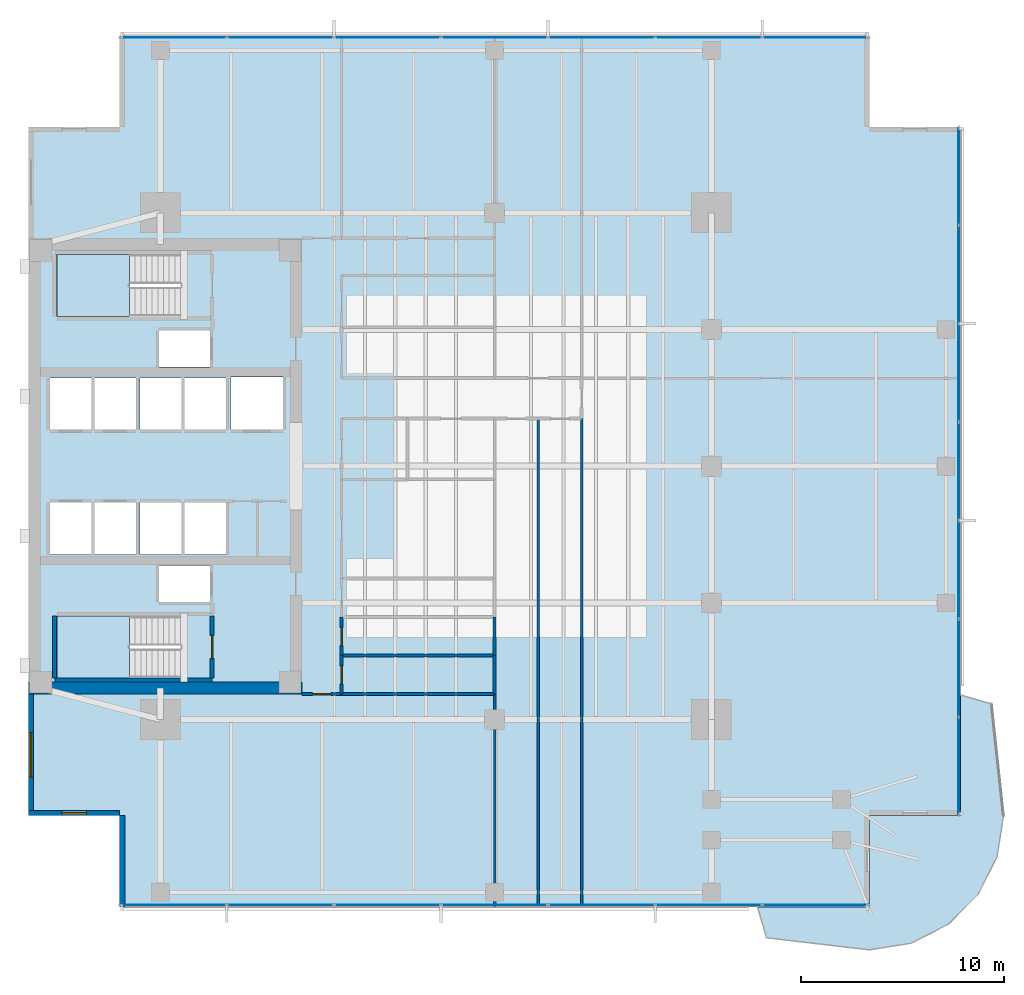
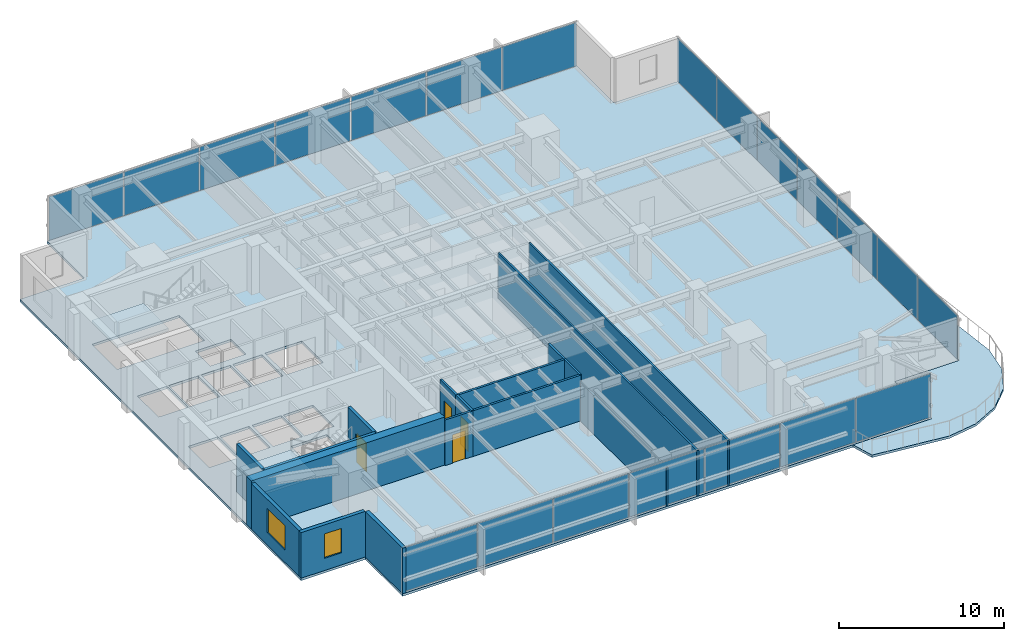
# One storey, part 7 of 14: 21 plates, 17 walls, 4 doors, 4 slabs, 2 windows, 6 openings, 5 elements without a shape of their own.
"""IFC4 building model written with IfcOpenShell, lengths in metres."""

from ifc_helpers import new_model, si_unit, direction, frame, frame_2d, origin, origin_2d, place, context, subcontext, project, spatial, polyline, rectangle, outline, extrude, material, layer, layer_set, type_object, element, fill, aggregate, save


model = new_model("IFC4")

# Units and contexts
model_context = context("Model", 3, precision=1e-05, world=origin(), true_north=direction((0.0, 1.0)))
body_context = subcontext(model_context, "Body", "Model", "MODEL_VIEW")
ifc_project = project(units=[si_unit("LENGTHUNIT", "METRE"), si_unit("AREAUNIT", "SQUARE_METRE"), si_unit("VOLUMEUNIT", "CUBIC_METRE"), si_unit("PLANEANGLEUNIT", "RADIAN"), si_unit("MASSUNIT", "GRAM", prefix="KILO")], contexts=[model_context])

# Site, building, storey
site_placement = place(None, origin())
site = spatial("IfcSite", under=ifc_project, at=site_placement, CompositionType="ELEMENT")
building_placement = place(site_placement, origin())
building = spatial("IfcBuilding", under=site, at=building_placement, Name="Kinhvarn Gate Tower", CompositionType="ELEMENT")
storey_placement = place(building_placement, frame((0.0, 0.0, 159.050048828125)))
storey = spatial("IfcBuildingStorey", under=building, at=storey_placement, Name="L42", CompositionType="ELEMENT", Elevation=159.050048828125)

# Curtain wall, plates
ifc_material_1 = material(Name="Anodised aluminium AW-6063", Category="aluminium")
ifc_layer_1 = layer(ifc_material_1, 0.179931640625)
ifc_layer_set_1 = layer_set([ifc_layer_1], Name="Anodised aluminium AW-6063")
curtain_wall_type = type_object("IfcCurtainWallType", Name="CW-SYS-3", PredefinedType="NOTDEFINED", material=ifc_layer_set_1)
curtain_wall_1_placement = place(storey_placement, origin())
curtain_wall_1 = element("IfcCurtainWall", 1, at=curtain_wall_1_placement, inside=storey, type_object=curtain_wall_type, Name="Curtain Wall CW3 (L42)", PredefinedType="NOTDEFINED")
ifc_material_2 = material(Name="Clear low-e double glazing", Category="glass")
ifc_layer_2 = layer(ifc_material_2, 0.031982421875)
ifc_layer_set_2 = layer_set([ifc_layer_2], Name="Clear low-e double glazing")
plate_type = type_object("IfcPlateType", Name="CW-PNL-VIS", PredefinedType="CURTAIN_PANEL", material=ifc_layer_set_2)
plate_1_placement = place(storey_placement, frame((11.6591796875, 3.590087890625, 0.070068359375), z_axis=(0.0, 0.0, 1.0), x_axis=(1.0, 0.0, 0.0)))
plate_1 = element("IfcPlate", 2, at=plate_1_placement, type_object=plate_type, Name="CW3 panel 1.1", PredefinedType="CURTAIN_PANEL", context=body_context, shape_type="SweptSolid", body=[
    extrude(rectangle(XDim=5.188232421875, YDim=0.031982421875, at=origin_2d()), origin(), (0.0, 0.0, 1.0), 3.22998046875),
])
plate_2_placement = place(storey_placement, frame((16.928466796875, 3.590087890625, 0.070068359375), z_axis=(0.0, 0.0, 1.0), x_axis=(1.0, 0.0, 0.0)))
plate_2 = element("IfcPlate", 3, at=plate_2_placement, type_object=plate_type, Name="CW3 panel 2.1", PredefinedType="CURTAIN_PANEL", context=body_context, shape_type="SweptSolid", body=[
    extrude(rectangle(XDim=5.220703125, YDim=0.031982421875, at=origin_2d()), origin(), (0.0, 0.0, 1.0), 3.22998046875),
])
plate_3_placement = place(storey_placement, frame((22.21435546875, 3.590087890625, 0.070068359375), z_axis=(0.0, 0.0, 1.0), x_axis=(1.0, 0.0, 0.0)))
plate_3 = element("IfcPlate", 4, at=plate_3_placement, type_object=plate_type, Name="CW3 panel 3.1", PredefinedType="CURTAIN_PANEL", context=body_context, shape_type="SweptSolid", body=[
    extrude(rectangle(XDim=5.220703125, YDim=0.031982421875, at=origin_2d()), origin(), (0.0, 0.0, 1.0), 3.22998046875),
])
plate_4_placement = place(storey_placement, frame((27.5, 3.590087890625, 0.070068359375), z_axis=(0.0, 0.0, 1.0), x_axis=(1.0, 0.0, 0.0)))
plate_4 = element("IfcPlate", 5, at=plate_4_placement, type_object=plate_type, Name="CW3 panel 4.1", PredefinedType="CURTAIN_PANEL", context=body_context, shape_type="SweptSolid", body=[
    extrude(rectangle(XDim=5.220703125, YDim=0.031982421875, at=origin_2d()), origin(), (0.0, 0.0, 1.0), 3.22998046875),
])
plate_5_placement = place(storey_placement, frame((32.78564453125, 3.590087890625, 0.070068359375), z_axis=(0.0, 0.0, 1.0), x_axis=(1.0, 0.0, 0.0)))
plate_5 = element("IfcPlate", 6, at=plate_5_placement, type_object=plate_type, Name="CW3 panel 5.1", PredefinedType="CURTAIN_PANEL", context=body_context, shape_type="SweptSolid", body=[
    extrude(rectangle(XDim=5.220703125, YDim=0.031982421875, at=origin_2d()), origin(), (0.0, 0.0, 1.0), 3.22998046875),
])
plate_6_placement = place(storey_placement, frame((38.071533203125, 3.590087890625, 0.070068359375), z_axis=(0.0, 0.0, 1.0), x_axis=(1.0, 0.0, 0.0)))
plate_6 = element("IfcPlate", 7, at=plate_6_placement, type_object=plate_type, Name="CW3 panel 6.1", PredefinedType="CURTAIN_PANEL", context=body_context, shape_type="SweptSolid", body=[
    extrude(rectangle(XDim=5.220703125, YDim=0.031982421875, at=origin_2d()), origin(), (0.0, 0.0, 1.0), 3.22998046875),
])
plate_7_placement = place(storey_placement, frame((43.3408203125, 3.590087890625, 0.070068359375), z_axis=(0.0, 0.0, 1.0), x_axis=(1.0, 0.0, 0.0)))
plate_7 = element("IfcPlate", 8, at=plate_7_placement, type_object=plate_type, Name="CW3 panel 7.1", PredefinedType="CURTAIN_PANEL", context=body_context, shape_type="SweptSolid", body=[
    extrude(rectangle(XDim=5.188232421875, YDim=0.031982421875, at=origin_2d()), origin(), (0.0, 0.0, 1.0), 3.22998046875),
])
aggregate(curtain_wall_1, [plate_1, plate_2, plate_3, plate_4, plate_5, plate_6, plate_7])

curtain_wall_2_placement = place(storey_placement, origin())
curtain_wall_2 = element("IfcCurtainWall", 9, at=curtain_wall_2_placement, inside=storey, type_object=curtain_wall_type, Name="Curtain Wall CW3 (L42)", PredefinedType="NOTDEFINED")
plate_8_placement = place(storey_placement, frame((43.3408203125, 46.409912109375, 0.070068359375), z_axis=(0.0, 0.0, 1.0), x_axis=(-1.0, 0.0, 0.0)))
plate_8 = element("IfcPlate", 10, at=plate_8_placement, type_object=plate_type, Name="CW3 panel 1.1", PredefinedType="CURTAIN_PANEL", context=body_context, shape_type="SweptSolid", body=[
    extrude(rectangle(XDim=5.188232421875, YDim=0.031982421875, at=origin_2d()), origin(), (0.0, 0.0, 1.0), 3.22998046875),
])
plate_9_placement = place(storey_placement, frame((38.071533203125, 46.409912109375, 0.070068359375), z_axis=(0.0, 0.0, 1.0), x_axis=(-1.0, 0.0, 0.0)))
plate_9 = element("IfcPlate", 11, at=plate_9_placement, type_object=plate_type, Name="CW3 panel 2.1", PredefinedType="CURTAIN_PANEL", context=body_context, shape_type="SweptSolid", body=[
    extrude(rectangle(XDim=5.220703125, YDim=0.031982421875, at=origin_2d()), origin(), (0.0, 0.0, 1.0), 3.22998046875),
])
plate_10_placement = place(storey_placement, frame((32.78564453125, 46.409912109375, 0.070068359375), z_axis=(0.0, 0.0, 1.0), x_axis=(-1.0, 0.0, 0.0)))
plate_10 = element("IfcPlate", 12, at=plate_10_placement, type_object=plate_type, Name="CW3 panel 3.1", PredefinedType="CURTAIN_PANEL", context=body_context, shape_type="SweptSolid", body=[
    extrude(rectangle(XDim=5.220703125, YDim=0.031982421875, at=origin_2d()), origin(), (0.0, 0.0, 1.0), 3.22998046875),
])
plate_11_placement = place(storey_placement, frame((27.5, 46.409912109375, 0.070068359375), z_axis=(0.0, 0.0, 1.0), x_axis=(-1.0, 0.0, 0.0)))
plate_11 = element("IfcPlate", 13, at=plate_11_placement, type_object=plate_type, Name="CW3 panel 4.1", PredefinedType="CURTAIN_PANEL", context=body_context, shape_type="SweptSolid", body=[
    extrude(rectangle(XDim=5.220703125, YDim=0.031982421875, at=origin_2d()), origin(), (0.0, 0.0, 1.0), 3.22998046875),
])
plate_12_placement = place(storey_placement, frame((22.21435546875, 46.409912109375, 0.070068359375), z_axis=(0.0, 0.0, 1.0), x_axis=(-1.0, 0.0, 0.0)))
plate_12 = element("IfcPlate", 14, at=plate_12_placement, type_object=plate_type, Name="CW3 panel 5.1", PredefinedType="CURTAIN_PANEL", context=body_context, shape_type="SweptSolid", body=[
    extrude(rectangle(XDim=5.220703125, YDim=0.031982421875, at=origin_2d()), origin(), (0.0, 0.0, 1.0), 3.22998046875),
])
plate_13_placement = place(storey_placement, frame((16.928466796875, 46.409912109375, 0.070068359375), z_axis=(0.0, 0.0, 1.0), x_axis=(-1.0, 0.0, 0.0)))
plate_13 = element("IfcPlate", 15, at=plate_13_placement, type_object=plate_type, Name="CW3 panel 6.1", PredefinedType="CURTAIN_PANEL", context=body_context, shape_type="SweptSolid", body=[
    extrude(rectangle(XDim=5.220703125, YDim=0.031982421875, at=origin_2d()), origin(), (0.0, 0.0, 1.0), 3.22998046875),
])
plate_14_placement = place(storey_placement, frame((11.6591796875, 46.409912109375, 0.070068359375), z_axis=(0.0, 0.0, 1.0), x_axis=(-1.0, 0.0, 0.0)))
plate_14 = element("IfcPlate", 16, at=plate_14_placement, type_object=plate_type, Name="CW3 panel 7.1", PredefinedType="CURTAIN_PANEL", context=body_context, shape_type="SweptSolid", body=[
    extrude(rectangle(XDim=5.188232421875, YDim=0.031982421875, at=origin_2d()), origin(), (0.0, 0.0, 1.0), 3.22998046875),
])
aggregate(curtain_wall_2, [plate_8, plate_9, plate_10, plate_11, plate_12, plate_13, plate_14])

curtain_wall_3_placement = place(storey_placement, origin())
curtain_wall_3 = element("IfcCurtainWall", 17, at=curtain_wall_3_placement, inside=storey, type_object=curtain_wall_type, Name="Curtain Wall CW3 (L42)", PredefinedType="NOTDEFINED")
plate_15_placement = place(storey_placement, frame((50.409912109375, 10.44482421875, 0.070068359375), z_axis=(0.0, 0.0, 1.0), x_axis=(0.0, 1.0, 0.0)))
plate_15 = element("IfcPlate", 18, at=plate_15_placement, type_object=plate_type, Name="CW3 panel 1.1", PredefinedType="CURTAIN_PANEL", context=body_context, shape_type="SweptSolid", body=[
    extrude(rectangle(XDim=4.759521484375, YDim=0.031982421875, at=origin_2d()), origin(), (0.0, 0.0, 1.0), 3.22998046875),
])
plate_16_placement = place(storey_placement, frame((50.409912109375, 15.28564453125, 0.070068359375), z_axis=(0.0, 0.0, 1.0), x_axis=(0.0, 1.0, 0.0)))
plate_16 = element("IfcPlate", 19, at=plate_16_placement, type_object=plate_type, Name="CW3 panel 2.1", PredefinedType="CURTAIN_PANEL", context=body_context, shape_type="SweptSolid", body=[
    extrude(rectangle(XDim=4.792236328125, YDim=0.031982421875, at=origin_2d()), origin(), (0.0, 0.0, 1.0), 3.22998046875),
])
plate_17_placement = place(storey_placement, frame((50.409912109375, 20.142822265625, 0.070068359375), z_axis=(0.0, 0.0, 1.0), x_axis=(0.0, 1.0, 0.0)))
plate_17 = element("IfcPlate", 20, at=plate_17_placement, type_object=plate_type, Name="CW3 panel 3.1", PredefinedType="CURTAIN_PANEL", context=body_context, shape_type="SweptSolid", body=[
    extrude(rectangle(XDim=4.792236328125, YDim=0.031982421875, at=origin_2d()), origin(), (0.0, 0.0, 1.0), 3.22998046875),
])
plate_18_placement = place(storey_placement, frame((50.409912109375, 25.0, 0.070068359375), z_axis=(0.0, 0.0, 1.0), x_axis=(0.0, 1.0, 0.0)))
plate_18 = element("IfcPlate", 21, at=plate_18_placement, type_object=plate_type, Name="CW3 panel 4.1", PredefinedType="CURTAIN_PANEL", context=body_context, shape_type="SweptSolid", body=[
    extrude(rectangle(XDim=4.792236328125, YDim=0.031982421875, at=origin_2d()), origin(), (0.0, 0.0, 1.0), 3.22998046875),
])
plate_19_placement = place(storey_placement, frame((50.409912109375, 29.857177734375, 0.070068359375), z_axis=(0.0, 0.0, 1.0), x_axis=(0.0, 1.0, 0.0)))
plate_19 = element("IfcPlate", 22, at=plate_19_placement, type_object=plate_type, Name="CW3 panel 5.1", PredefinedType="CURTAIN_PANEL", context=body_context, shape_type="SweptSolid", body=[
    extrude(rectangle(XDim=4.792236328125, YDim=0.031982421875, at=origin_2d()), origin(), (0.0, 0.0, 1.0), 3.22998046875),
])
plate_20_placement = place(storey_placement, frame((50.409912109375, 34.71435546875, 0.070068359375), z_axis=(0.0, 0.0, 1.0), x_axis=(0.0, 1.0, 0.0)))
plate_20 = element("IfcPlate", 23, at=plate_20_placement, type_object=plate_type, Name="CW3 panel 6.1", PredefinedType="CURTAIN_PANEL", context=body_context, shape_type="SweptSolid", body=[
    extrude(rectangle(XDim=4.792236328125, YDim=0.031982421875, at=origin_2d()), origin(), (0.0, 0.0, 1.0), 3.22998046875),
])
plate_21_placement = place(storey_placement, frame((50.409912109375, 39.55517578125, 0.070068359375), z_axis=(0.0, 0.0, 1.0), x_axis=(0.0, 1.0, 0.0)))
plate_21 = element("IfcPlate", 24, at=plate_21_placement, type_object=plate_type, Name="CW3 panel 7.1", PredefinedType="CURTAIN_PANEL", context=body_context, shape_type="SweptSolid", body=[
    extrude(rectangle(XDim=4.759521484375, YDim=0.031982421875, at=origin_2d()), origin(), (0.0, 0.0, 1.0), 3.22998046875),
])
aggregate(curtain_wall_3, [plate_15, plate_16, plate_17, plate_18, plate_19, plate_20, plate_21])

# Slabs
ifc_material_3 = material(Name="Precast white architectural concrete C40/50", Category="concrete")
ifc_layer_3 = layer(ifc_material_3, 0.179931640625)
ifc_layer_set_3 = layer_set([ifc_layer_3], Name="Precast white architectural concrete C40/50")
slab_type_1 = type_object("IfcSlabType", Name="SLB-BAL-180", PredefinedType="FLOOR", material=ifc_layer_set_3)
slab_1_placement = place(storey_placement, frame((0.0, 0.0, -0.179931640625)))
element("IfcSlab", 25, at=slab_1_placement, inside=storey, type_object=slab_type_1, Name="S-Carve Curved Terrace Balcony Slab L42 (SE)", PredefinedType="FLOOR", context=body_context, shape_type="SweptSolid", body=[
    extrude(outline(polyline([(40.47509765625, 3.5), (40.925048828125, 1.975830078125), (46.0, 1.383056640625), (48.044921875, 1.706787109375), (49.889404296875, 2.646728515625), (51.353271484375, 4.110595703125), (52.293212890625, 5.955078125), (52.616943359375, 8.0), (52.024169921875, 13.511962890625), (50.5, 13.9619140625), (50.5, 8.0), (46.0, 8.0), (46.0, 3.5), (40.47509765625, 3.5)])), origin(), (0.0, 0.0, 1.0), 0.179931640625),
])
ifc_material_4 = material(Name="Concrete C40/50", Category="concrete")
ifc_layer_4 = layer(ifc_material_4, 0.179931640625)
ifc_layer_set_4 = layer_set([ifc_layer_4], Name="Concrete C40/50")
slab_type_2 = type_object("IfcSlabType", Name="SLB-FLR-180", PredefinedType="FLOOR", material=ifc_layer_set_4)
slab_2_placement = place(storey_placement, frame((0.0, 0.0, -0.179931640625)))
element("IfcSlab", 26, at=slab_2_placement, inside=storey, type_object=slab_type_2, Name="Suspended Floor Slab L42", PredefinedType="FLOOR", context=body_context, shape_type="SweptSolid", body=[
    extrude(outline(polyline([(9.0, 3.5), (46.0, 3.5), (46.0, 8.0), (50.5, 8.0), (50.5, 42.0), (46.0, 42.0), (46.0, 46.5), (9.0, 46.5), (9.0, 42.0), (4.5, 42.0), (4.5, 8.0), (9.0, 8.0), (9.0, 3.5)]), holes=[polyline([(5.89990234375, 14.800048828125), (12.0, 14.800048828125), (12.0, 17.85009765625), (5.89990234375, 17.85009765625), (5.89990234375, 14.800048828125)]), polyline([(5.89990234375, 32.64990234375), (12.0, 32.64990234375), (12.0, 35.699951171875), (5.89990234375, 35.699951171875), (5.89990234375, 32.64990234375)]), polyline([(5.550048828125, 20.89990234375), (7.60009765625, 20.89990234375), (7.60009765625, 23.449951171875), (5.550048828125, 23.449951171875), (5.550048828125, 20.89990234375)]), polyline([(7.75, 20.89990234375), (9.800048828125, 20.89990234375), (9.800048828125, 23.449951171875), (7.75, 23.449951171875), (7.75, 20.89990234375)]), polyline([(5.550048828125, 27.050048828125), (7.60009765625, 27.050048828125), (7.60009765625, 29.60009765625), (5.550048828125, 29.60009765625), (5.550048828125, 27.050048828125)]), polyline([(7.75, 27.050048828125), (9.800048828125, 27.050048828125), (9.800048828125, 29.60009765625), (7.75, 29.60009765625), (7.75, 27.050048828125)]), polyline([(10.0, 20.89990234375), (12.050048828125, 20.89990234375), (12.050048828125, 23.449951171875), (10.0, 23.449951171875), (10.0, 20.89990234375)]), polyline([(12.199951171875, 20.89990234375), (14.25, 20.89990234375), (14.25, 23.449951171875), (12.199951171875, 23.449951171875), (12.199951171875, 20.89990234375)]), polyline([(10.0, 27.050048828125), (12.050048828125, 27.050048828125), (12.050048828125, 29.60009765625), (10.0, 29.60009765625), (10.0, 27.050048828125)]), polyline([(12.199951171875, 27.050048828125), (14.25, 27.050048828125), (14.25, 29.60009765625), (12.199951171875, 29.60009765625), (12.199951171875, 27.050048828125)]), polyline([(14.5, 27.050048828125), (17.050048828125, 27.050048828125), (17.050048828125, 29.64990234375), (14.5, 29.64990234375), (14.5, 27.050048828125)]), polyline([(10.949951171875, 18.550048828125), (13.449951171875, 18.550048828125), (13.449951171875, 20.35009765625), (10.949951171875, 20.35009765625), (10.949951171875, 18.550048828125)]), polyline([(10.949951171875, 30.14990234375), (13.449951171875, 30.14990234375), (13.449951171875, 31.949951171875), (10.949951171875, 31.949951171875), (10.949951171875, 30.14990234375)])]), origin(), (0.0, 0.0, 1.0), 0.179931640625),
])

# Stair, slab
stair_type = type_object("IfcStairType", Name="STR-DLG-177", PredefinedType="HALF_TURN_STAIR", material=ifc_material_4)
stair_1_placement = place(storey_placement, origin())
stair_1 = element("IfcStair", 27, at=stair_1_placement, inside=storey, type_object=stair_type, Name="L42 Core Smokeproof Exit Stair ST1", PredefinedType="HALF_TURN_STAIR")
ifc_layer_5 = layer(ifc_material_4, 0.199951171875)
ifc_layer_set_5 = layer_set([ifc_layer_5], Name="Concrete C40/50")
slab_type_3 = type_object("IfcSlabType", Name="SLB-ST-LND", PredefinedType="LANDING", material=ifc_layer_set_5)
slab_3_placement = place(storey_placement, frame((0.0, 0.0, 1.574951171875)))
slab_3 = element("IfcSlab", 28, at=slab_3_placement, type_object=slab_type_3, Name="ST1 landing 1", PredefinedType="LANDING", context=body_context, shape_type="SweptSolid", body=[
    extrude(outline(polyline([(9.47998046875, 17.85009765625), (5.89990234375, 17.85009765625), (5.89990234375, 14.800048828125), (9.47998046875, 14.800048828125), (9.47998046875, 17.85009765625)])), origin(), (0.0, 0.0, 1.0), 0.199951171875),
])
aggregate(stair_1, [slab_3])

stair_2_placement = place(storey_placement, origin())
stair_2 = element("IfcStair", 29, at=stair_2_placement, inside=storey, type_object=stair_type, Name="L42 Core Smokeproof Exit Stair ST2", PredefinedType="HALF_TURN_STAIR")
slab_4_placement = place(storey_placement, frame((0.0, 0.0, 1.574951171875)))
slab_4 = element("IfcSlab", 30, at=slab_4_placement, type_object=slab_type_3, Name="ST2 landing 1", PredefinedType="LANDING", context=body_context, shape_type="SweptSolid", body=[
    extrude(outline(polyline([(9.47998046875, 35.699951171875), (5.89990234375, 35.699951171875), (5.89990234375, 32.64990234375), (9.47998046875, 32.64990234375), (9.47998046875, 35.699951171875)])), origin(), (0.0, 0.0, 1.0), 0.199951171875),
])
aggregate(stair_2, [slab_4])

# Wall
ifc_material_5 = material(Name="Concrete C60/75", Category="concrete")
ifc_layer_6 = layer(ifc_material_5, 0.60009765625)
ifc_layer_set_6 = layer_set([ifc_layer_6], Name="Concrete C60/75")
wall_type_1 = type_object("IfcWallType", Name="WL-CORE-600", PredefinedType="SHEAR", material=ifc_layer_set_6)
wall_1_placement = place(storey_placement, frame((4.5, 14.300048828125, 0.0), z_axis=(0.0, 0.0, 1.0), x_axis=(1.0, 0.0, 0.0)))
element("IfcWall", 31, at=wall_1_placement, inside=storey, type_object=wall_type_1, Name="Core South Shear Wall L42 600 mm", PredefinedType="SHEAR", context=body_context, shape_type="SweptSolid", body=[
    extrude(rectangle(XDim=13.5, YDim=0.60009765625, at=frame_2d((6.75, 0.0))), origin(), (0.0, 0.0, 1.0), 3.550048828125),
])

# Wall, opening, window
ifc_material_6 = material(Name="Fired architectural terracotta", Category="masonry")
ifc_layer_7 = layer(ifc_material_6, 0.25)
ifc_layer_set_7 = layer_set([ifc_layer_7], Name="Fired architectural terracotta")
wall_type_2 = type_object("IfcWallType", Name="WL-EXT-250", PredefinedType="SOLIDWALL", material=ifc_layer_set_7)
wall_2_placement = place(storey_placement, frame((4.625, 14.0, 0.0), z_axis=(0.0, 0.0, 1.0), x_axis=(0.0, -1.0, 0.0)))
wall_2 = element("IfcWall", 32, at=wall_2_placement, inside=storey, type_object=wall_type_2, Name="Exterior Solidwall Wall EW-250 (L42 West-South)", PredefinedType="SOLIDWALL", context=body_context, shape_type="SweptSolid", body=[
    extrude(rectangle(XDim=6.0, YDim=0.25, at=frame_2d((3.0, 0.0))), origin(), (0.0, 0.0, 1.0), 3.369873046875),
])
opening_1_placement = place(wall_2_placement, frame((1.89990234375, 0.0, 0.89990234375)))
opening_1 = element("IfcOpeningElement", 33, at=opening_1_placement, cuts=wall_2, Name="Opening WN-01", PredefinedType="OPENING", context=body_context, shape_type="SweptSolid", body=[
    extrude(rectangle(XDim=2.199951171875, YDim=1.800048828125, at=frame_2d((1.10009765625, 0.89990234375))), frame((0.0, 0.135009765625, 0.0), z_axis=(0.0, -1.0, 0.0), x_axis=(1.0, 0.0, 0.0)), (0.0, 0.0, 1.0), 0.27001953125),
])
window_type_1 = type_object("IfcWindowType", Name="WIN-RIB-2200", PartitioningType="SINGLE_PANEL", PredefinedType="WINDOW", material=ifc_material_2)
window_1_placement = place(opening_1_placement, origin())
window_1 = element("IfcWindow", 34, at=window_1_placement, inside=storey, type_object=window_type_1, Name="West Flank Double-Glazed Ribbon Window 2200x1800 mm (L42)", OverallHeight=1.800048828125, OverallWidth=2.199951171875, PartitioningType="SINGLE_PANEL", PredefinedType="WINDOW", context=body_context, shape_type="SweptSolid", body=[
    extrude(rectangle(XDim=2.199951171875, YDim=1.800048828125, at=frame_2d((1.10009765625, 0.89990234375))), frame((0.0, 0.030029296875, 0.0), z_axis=(0.0, -1.0, 0.0), x_axis=(1.0, 0.0, 0.0)), (0.0, 0.0, 1.0), 0.06005859375),
])
fill(opening_1, window_1)

wall_3_placement = place(storey_placement, frame((4.5, 8.125, 0.0), z_axis=(0.0, 0.0, 1.0), x_axis=(1.0, 0.0, 0.0)))
wall_3 = element("IfcWall", 35, at=wall_3_placement, inside=storey, type_object=wall_type_2, Name="Exterior Solidwall Wall EW-250 (L42 SW-Notch-1)", PredefinedType="SOLIDWALL", context=body_context, shape_type="SweptSolid", body=[
    extrude(rectangle(XDim=4.5, YDim=0.25, at=frame_2d((2.25, 0.0))), origin(), (0.0, 0.0, 1.0), 3.369873046875),
])
opening_2_placement = place(wall_3_placement, frame((1.64990234375, 0.0, 0.89990234375)))
opening_2 = element("IfcOpeningElement", 36, at=opening_2_placement, cuts=wall_3, Name="Opening WN-02", PredefinedType="OPENING", context=body_context, shape_type="SweptSolid", body=[
    extrude(rectangle(XDim=1.199951171875, YDim=1.800048828125, at=frame_2d((0.60009765625, 0.89990234375))), frame((0.0, 0.135009765625, 0.0), z_axis=(0.0, -1.0, 0.0), x_axis=(1.0, 0.0, 0.0)), (0.0, 0.0, 1.0), 0.27001953125),
])
window_type_2 = type_object("IfcWindowType", Name="WIN-NTC-1200", PartitioningType="SINGLE_PANEL", PredefinedType="WINDOW", material=ifc_material_2)
window_2_placement = place(opening_2_placement, origin())
window_2 = element("IfcWindow", 37, at=window_2_placement, inside=storey, type_object=window_type_2, Name="Recessed Corner Notch Punched Window 1200x1800 mm (L42)", OverallHeight=1.800048828125, OverallWidth=1.199951171875, PartitioningType="SINGLE_PANEL", PredefinedType="WINDOW", context=body_context, shape_type="SweptSolid", body=[
    extrude(rectangle(XDim=1.199951171875, YDim=1.800048828125, at=frame_2d((0.60009765625, 0.89990234375))), frame((0.0, 0.030029296875, 0.0), z_axis=(0.0, -1.0, 0.0), x_axis=(1.0, 0.0, 0.0)), (0.0, 0.0, 1.0), 0.06005859375),
])
fill(opening_2, window_2)

# Walls
wall_4_placement = place(storey_placement, frame((9.125, 8.0, 0.0), z_axis=(0.0, 0.0, 1.0), x_axis=(0.0, -1.0, 0.0)))
element("IfcWall", 38, at=wall_4_placement, inside=storey, type_object=wall_type_2, Name="Exterior Solidwall Wall EW-250 (L42 SW-Notch-2)", PredefinedType="SOLIDWALL", context=body_context, shape_type="SweptSolid", body=[
    extrude(rectangle(XDim=4.5, YDim=0.25, at=frame_2d((2.25, 0.0))), origin(), (0.0, 0.0, 1.0), 3.369873046875),
])
ifc_material_7 = material(Name="Gypsum acoustic partition board")
ifc_layer_8 = layer(ifc_material_7, 0.14990234375)
ifc_layer_set_8 = layer_set([ifc_layer_8], Name="Gypsum acoustic partition board")
wall_type_3 = type_object("IfcWallType", Name="WL-PLM-150", PredefinedType="PLUMBINGWALL", material=ifc_layer_set_8)
for number, where, z_axis, x_axis, name in (
    (39, (19.949951171875, 15.89990234375, 0.0), (0.0, 0.0, 1.0), (1.0, 0.0, 0.0), "Interior Partition PLW-150 (L42)"),
    (40, (19.949951171875, 14.0, 0.0), (0.0, 0.0, 1.0), (1.0, 0.0, 0.0), "Interior Partition PLW-150 (L42)"),
):
    element("IfcWall", number, at=place(storey_placement, frame(where, z_axis=z_axis, x_axis=x_axis)), inside=storey, type_object=wall_type_3, Name=name, PredefinedType="PLUMBINGWALL", context=body_context, shape_type="SweptSolid", body=[
        extrude(rectangle(XDim=7.550048828125, YDim=0.14990234375, at=frame_2d((3.77490234375, 0.0))), origin(), (0.0, 0.0, 1.0), 3.369873046875),
    ])
wall_5_placement = place(storey_placement, frame((27.5, 14.0, 0.0), z_axis=(0.0, 0.0, 1.0), x_axis=(0.0, 1.0, 0.0)))
element("IfcWall", 41, at=wall_5_placement, inside=storey, type_object=wall_type_3, Name="Interior Partition PLW-150 (L42)", PredefinedType="PLUMBINGWALL", context=body_context, shape_type="SweptSolid", body=[
    extrude(rectangle(XDim=1.89990234375, YDim=0.14990234375, at=frame_2d((0.949951171875, 0.0))), origin(), (0.0, 0.0, 1.0), 3.369873046875),
])
wall_6_placement = place(storey_placement, frame((27.5, 15.89990234375, 0.0), z_axis=(0.0, 0.0, 1.0), x_axis=(0.0, 1.0, 0.0)))
element("IfcWall", 42, at=wall_6_placement, inside=storey, type_object=wall_type_3, Name="Interior Partition PLW-150 (L42)", PredefinedType="PLUMBINGWALL", context=body_context, shape_type="SweptSolid", body=[
    extrude(rectangle(XDim=1.900146484375, YDim=0.14990234375, at=frame_2d((0.9501953125, 0.0))), origin(), (0.0, 0.0, 1.0), 3.369873046875),
])

# Wall, opening, door
ifc_layer_9 = layer(ifc_material_7, 0.14990234375)
ifc_layer_set_9 = layer_set([ifc_layer_9], Name="Gypsum acoustic partition board")
wall_type_4 = type_object("IfcWallType", Name="WL-PLM-150F", PredefinedType="PLUMBINGWALL", material=ifc_layer_set_9)
wall_7_placement = place(storey_placement, frame((19.949951171875, 14.0, 0.0), z_axis=(0.0, 0.0, 1.0), x_axis=(0.0, 1.0, 0.0)))
wall_7 = element("IfcWall", 43, at=wall_7_placement, inside=storey, type_object=wall_type_4, Name="Interior Partition PLW-150F (L42)", PredefinedType="PLUMBINGWALL", context=body_context, shape_type="SweptSolid", body=[
    extrude(rectangle(XDim=1.89990234375, YDim=0.14990234375, at=frame_2d((0.949951171875, 0.0))), origin(), (0.0, 0.0, 1.0), 3.369873046875),
])
opening_3_placement = place(wall_7_placement, frame((0.5, 0.0, 0.0)))
opening_3 = element("IfcOpeningElement", 44, at=opening_3_placement, cuts=wall_7, Name="Opening FD-04", PredefinedType="OPENING", context=body_context, shape_type="SweptSolid", body=[
    extrude(rectangle(XDim=0.89990234375, YDim=2.10009765625, at=frame_2d((0.449951171875, 1.050048828125))), frame((0.0, 0.0849609375, 0.0), z_axis=(0.0, -1.0, 0.0), x_axis=(1.0, 0.0, 0.0)), (0.0, 0.0, 1.0), 0.169921875),
])
door_type_1 = type_object("IfcDoorType", Name="DR-FD-900", OperationType="NOTDEFINED", PredefinedType="DOOR", material=ifc_material_1)
door_1_placement = place(opening_3_placement, origin())
door_1 = element("IfcDoor", 45, at=door_1_placement, inside=storey, type_object=door_type_1, Name="Rated Riser & Service Closet Fire Door 900x2100 mm (L42)", OperationType="SINGLE_SWING_LEFT", OverallHeight=2.10009765625, OverallWidth=0.89990234375, PredefinedType="DOOR", context=body_context, shape_type="SweptSolid", body=[
    extrude(rectangle(XDim=0.89990234375, YDim=2.10009765625, at=frame_2d((0.449951171875, 1.050048828125))), frame((0.0, 0.02490234375, 0.0), z_axis=(0.0, -1.0, 0.0), x_axis=(1.0, 0.0, 0.0)), (0.0, 0.0, 1.0), 0.050048828125),
])
fill(opening_3, door_1)

wall_8_placement = place(storey_placement, frame((19.949951171875, 15.89990234375, 0.0), z_axis=(0.0, 0.0, 1.0), x_axis=(0.0, 1.0, 0.0)))
wall_8 = element("IfcWall", 46, at=wall_8_placement, inside=storey, type_object=wall_type_4, Name="Interior Partition PLW-150F (L42)", PredefinedType="PLUMBINGWALL", context=body_context, shape_type="SweptSolid", body=[
    extrude(rectangle(XDim=1.900146484375, YDim=0.14990234375, at=frame_2d((0.9501953125, 0.0))), origin(), (0.0, 0.0, 1.0), 3.369873046875),
])
opening_4_placement = place(wall_8_placement, frame((0.5, 0.0, 0.0)))
opening_4 = element("IfcOpeningElement", 47, at=opening_4_placement, cuts=wall_8, Name="Opening FD-04", PredefinedType="OPENING", context=body_context, shape_type="SweptSolid", body=[
    extrude(rectangle(XDim=0.89990234375, YDim=2.10009765625, at=frame_2d((0.449951171875, 1.050048828125))), frame((0.0, 0.0849609375, 0.0), z_axis=(0.0, -1.0, 0.0), x_axis=(1.0, 0.0, 0.0)), (0.0, 0.0, 1.0), 0.169921875),
])
door_2_placement = place(opening_4_placement, origin())
door_2 = element("IfcDoor", 48, at=door_2_placement, inside=storey, type_object=door_type_1, Name="Rated Riser & Service Closet Fire Door 900x2100 mm (L42)", OperationType="SINGLE_SWING_RIGHT", OverallHeight=2.10009765625, OverallWidth=0.89990234375, PredefinedType="DOOR", context=body_context, shape_type="SweptSolid", body=[
    extrude(rectangle(XDim=0.89990234375, YDim=2.10009765625, at=frame_2d((0.449951171875, 1.050048828125))), frame((0.0, 0.02490234375, 0.0), z_axis=(0.0, -1.0, 0.0), x_axis=(1.0, 0.0, 0.0)), (0.0, 0.0, 1.0), 0.050048828125),
])
fill(opening_4, door_2)

# Walls
ifc_layer_10 = layer(ifc_material_7, 0.1201171875)
ifc_layer_set_10 = layer_set([ifc_layer_10], Name="Gypsum acoustic partition board")
wall_type_5 = type_object("IfcWallType", Name="WL-PRT-120", PredefinedType="PARTITIONING", material=ifc_layer_set_10)
wall_9_placement = place(storey_placement, frame((27.5, 3.510009765625, 0.0), z_axis=(0.0, 0.0, 1.0), x_axis=(0.0, 1.0, 0.0)))
element("IfcWall", 49, at=wall_9_placement, inside=storey, type_object=wall_type_5, Name="Interior Partition PW-120 (L42)", PredefinedType="PARTITIONING", context=body_context, shape_type="SweptSolid", body=[
    extrude(rectangle(XDim=10.489990234375, YDim=0.1201171875, at=frame_2d((5.2451171875, 0.0))), origin(), (0.0, 0.0, 1.0), 2.869873046875),
])
for number, where, z_axis, x_axis, name in (
    (50, (29.64990234375, 3.510009765625, 0.0), (0.0, 0.0, 1.0), (0.0, 1.0, 0.0), "Interior Partition PW-120 (L42)"),
    (51, (31.800048828125, 3.510009765625, 0.0), (0.0, 0.0, 1.0), (0.0, 1.0, 0.0), "Interior Partition PW-120 (L42)"),
):
    element("IfcWall", number, at=place(storey_placement, frame(where, z_axis=z_axis, x_axis=x_axis)), inside=storey, type_object=wall_type_5, Name=name, PredefinedType="PARTITIONING", context=body_context, shape_type="SweptSolid", body=[
        extrude(rectangle(XDim=24.090087890625, YDim=0.1201171875, at=frame_2d((12.044921875, 0.0))), origin(), (0.0, 0.0, 1.0), 3.369873046875),
    ])

# Wall, opening, door
ifc_layer_11 = layer(ifc_material_7, 0.14990234375)
ifc_layer_set_11 = layer_set([ifc_layer_11], Name="Gypsum acoustic partition board")
wall_type_6 = type_object("IfcWallType", Name="WL-PRT-150F", PredefinedType="PARTITIONING", material=ifc_layer_set_11)
wall_10_placement = place(storey_placement, frame((18.0, 14.0, 0.0), z_axis=(0.0, 0.0, 1.0), x_axis=(1.0, 0.0, 0.0)))
wall_10 = element("IfcWall", 52, at=wall_10_placement, inside=storey, type_object=wall_type_6, Name="Interior Partition PW-150F (L42)", PredefinedType="PARTITIONING", context=body_context, shape_type="SweptSolid", body=[
    extrude(rectangle(XDim=1.949951171875, YDim=0.14990234375, at=frame_2d((0.97509765625, 0.0))), origin(), (0.0, 0.0, 1.0), 3.369873046875),
])
opening_5_placement = place(wall_10_placement, frame((0.52490234375, 0.0, 0.0)))
opening_5 = element("IfcOpeningElement", 53, at=opening_5_placement, cuts=wall_10, Name="Opening ID-03", PredefinedType="OPENING", context=body_context, shape_type="SweptSolid", body=[
    extrude(rectangle(XDim=0.89990234375, YDim=2.10009765625, at=frame_2d((0.449951171875, 1.050048828125))), frame((0.0, 0.0849609375, 0.0), z_axis=(0.0, -1.0, 0.0), x_axis=(1.0, 0.0, 0.0)), (0.0, 0.0, 1.0), 0.169921875),
])
door_type_2 = type_object("IfcDoorType", Name="DR-INT-900", OperationType="NOTDEFINED", PredefinedType="DOOR", material=ifc_material_1)
door_3_placement = place(opening_5_placement, origin())
door_3 = element("IfcDoor", 54, at=door_3_placement, inside=storey, type_object=door_type_2, Name="Cellular Office & Restroom Door 900x2100 mm (L42)", OperationType="SINGLE_SWING_RIGHT", OverallHeight=2.10009765625, OverallWidth=0.89990234375, PredefinedType="DOOR", context=body_context, shape_type="SweptSolid", body=[
    extrude(rectangle(XDim=0.89990234375, YDim=2.10009765625, at=frame_2d((0.449951171875, 1.050048828125))), frame((0.0, 0.02490234375, 0.0), z_axis=(0.0, -1.0, 0.0), x_axis=(1.0, 0.0, 0.0)), (0.0, 0.0, 1.0), 0.050048828125),
])
fill(opening_5, door_3)

# Walls
ifc_layer_12 = layer(ifc_material_4, 0.199951171875)
ifc_layer_set_12 = layer_set([ifc_layer_12], Name="Concrete C40/50")
wall_type_7 = type_object("IfcWallType", Name="WL-SHF-200", PredefinedType="SOLIDWALL", material=ifc_layer_set_12)
wall_11_placement = place(storey_placement, frame((5.800048828125, 14.699951171875, 0.0), z_axis=(0.0, 0.0, 1.0), x_axis=(1.0, 0.0, 0.0)))
element("IfcWall", 55, at=wall_11_placement, inside=storey, type_object=wall_type_7, Name="Stair ST1 South Shaft Wall (L42)", PredefinedType="SOLIDWALL", context=body_context, shape_type="SweptSolid", body=[
    extrude(rectangle(XDim=7.75, YDim=0.199951171875, at=frame_2d((3.875, 0.0))), origin(), (0.0, 0.0, 1.0), 3.550048828125),
])
wall_12_placement = place(storey_placement, frame((5.7900390625, 14.800048828125, 0.0), z_axis=(0.0, 0.0, 1.0), x_axis=(0.0, 1.0, 0.0)))
element("IfcWall", 56, at=wall_12_placement, inside=storey, type_object=wall_type_7, Name="Stair ST1 West Shaft Wall (L42)", PredefinedType="SOLIDWALL", context=body_context, shape_type="SweptSolid", body=[
    extrude(rectangle(XDim=3.050048828125, YDim=0.199951171875, at=frame_2d((1.52490234375, 0.0))), origin(), (0.0, 0.0, 1.0), 3.550048828125),
])

# Wall, opening, door
wall_13_placement = place(storey_placement, frame((13.56005859375, 14.800048828125, 0.0), z_axis=(0.0, 0.0, 1.0), x_axis=(0.0, 1.0, 0.0)))
wall_13 = element("IfcWall", 57, at=wall_13_placement, inside=storey, type_object=wall_type_7, Name="Stair ST1 East Entry Wall (L42)", PredefinedType="SOLIDWALL", context=body_context, shape_type="SweptSolid", body=[
    extrude(rectangle(XDim=3.050048828125, YDim=0.199951171875, at=frame_2d((1.52490234375, 0.0))), origin(), (0.0, 0.0, 1.0), 3.550048828125),
])
opening_6_placement = place(wall_13_placement, frame((0.949951171875, 0.0, 0.0)))
opening_6 = element("IfcOpeningElement", 58, at=opening_6_placement, cuts=wall_13, Name="Opening FD-01", PredefinedType="OPENING", context=body_context, shape_type="SweptSolid", body=[
    extrude(rectangle(XDim=1.14990234375, YDim=2.14990234375, at=frame_2d((0.574951171875, 1.074951171875))), frame((0.0, 0.10986328125, 0.0), z_axis=(0.0, -1.0, 0.0), x_axis=(1.0, 0.0, 0.0)), (0.0, 0.0, 1.0), 0.219970703125),
])
door_type_3 = type_object("IfcDoorType", Name="DR-ST-1150", OperationType="NOTDEFINED", PredefinedType="DOOR", material=ifc_material_1)
door_4_placement = place(opening_6_placement, origin())
door_4 = element("IfcDoor", 59, at=door_4_placement, inside=storey, type_object=door_type_3, Name="Exit Stair ST1 Fire Door (L42)", OperationType="SINGLE_SWING_RIGHT", OverallHeight=2.14990234375, OverallWidth=1.14990234375, PredefinedType="DOOR", context=body_context, shape_type="SweptSolid", body=[
    extrude(rectangle(XDim=1.14990234375, YDim=2.14990234375, at=frame_2d((0.574951171875, 1.074951171875))), frame((0.0, 0.02490234375, 0.0), z_axis=(0.0, -1.0, 0.0), x_axis=(1.0, 0.0, 0.0)), (0.0, 0.0, 1.0), 0.050048828125),
])
fill(opening_6, door_4)

save(model, "model.ifc")
